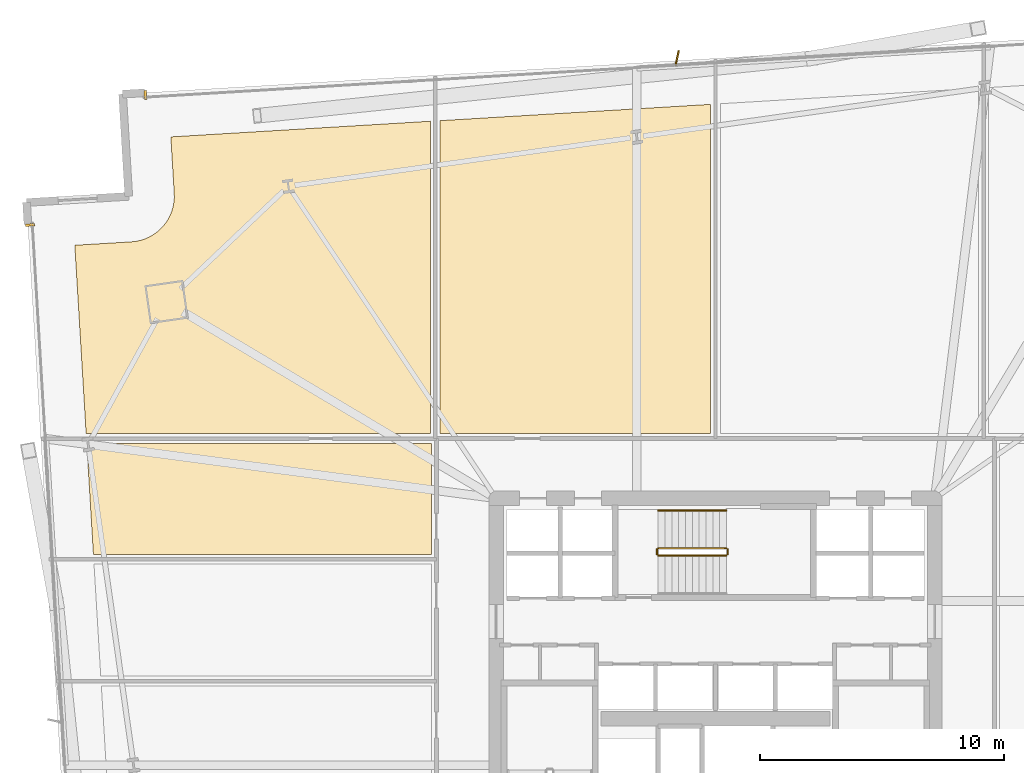
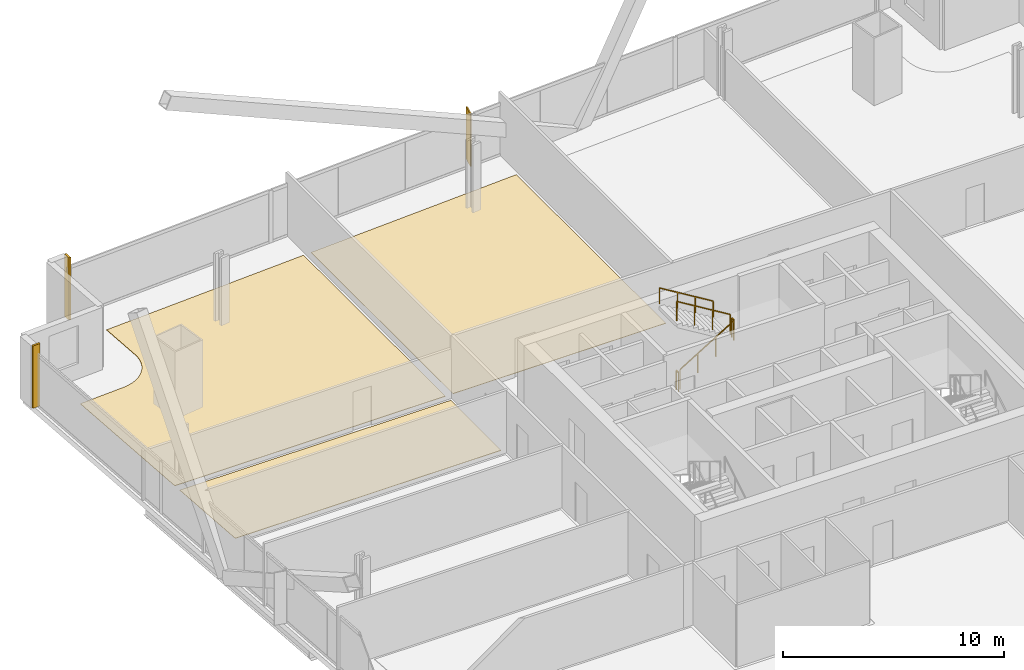
# One storey, part 33 of 34: 5 coverings, 5 railings, 1 shading device.
"""IFC4 building model written with IfcOpenShell, lengths in metres."""

from ifc_helpers import new_model, si_unit, direction, frame, origin, origin_2d, place, context, subcontext, project, spatial, polyline, rectangle, outline, extrude, source, transform, mapped, material, layer, layer_set, type_object, element, save


model = new_model("IFC4")

# Units and contexts
model_context = context("Model", 3, precision=1e-05, world=origin(), true_north=direction((0.0, 1.0)))
body_context = subcontext(model_context, "Body", "Model", "MODEL_VIEW")
ifc_project = project(units=[si_unit("LENGTHUNIT", "METRE"), si_unit("AREAUNIT", "SQUARE_METRE"), si_unit("VOLUMEUNIT", "CUBIC_METRE"), si_unit("PLANEANGLEUNIT", "RADIAN"), si_unit("MASSUNIT", "GRAM", prefix="KILO")], contexts=[model_context])

# Site, building, storey
site_placement = place(None, origin())
site = spatial("IfcSite", under=ifc_project, at=site_placement, CompositionType="ELEMENT")
building_placement = place(site_placement, origin())
building = spatial("IfcBuilding", under=site, at=building_placement, Name="Haldenkirk Collegiate Tower", CompositionType="ELEMENT")
storey_placement = place(building_placement, frame((0.0, 0.0, 40.199951171875)))
storey = spatial("IfcBuildingStorey", under=building, at=storey_placement, Name="L08", CompositionType="ELEMENT", Elevation=40.199951171875)

# Coverings
ifc_material_1 = material(Name="Polished collegiate terrazzo", Category="concrete")
ifc_layer_1 = layer(ifc_material_1, 0.02490234375)
ifc_layer_set_1 = layer_set([ifc_layer_1], Name="Polished collegiate terrazzo")
covering_type_1 = type_object("IfcCoveringType", Name="COV-FLOOR-TERRAZZO", PredefinedType="FLOORING", material=ifc_layer_set_1)
covering_1_placement = place(storey_placement, origin())
element("IfcCovering", 1, at=covering_1_placement, inside=storey, type_object=covering_type_1, Name="L08 academic room finish 04", PredefinedType="FLOORING", context=body_context, shape_type="SweptSolid", body=[
    extrude(outline(polyline([(12.0419921875, 44.521728515625), (12.0478515625, 44.522216796875), (12.218505859375, 44.541015625), (12.230224609375, 44.54296875), (12.398193359375, 44.578369140625), (12.40966796875, 44.581298828125), (12.573486328125, 44.633056640625), (12.58447265625, 44.636962890625), (12.742431640625, 44.704345703125), (12.753173828125, 44.709716796875), (12.903564453125, 44.792236328125), (12.91357421875, 44.798583984375), (13.055419921875, 44.8955078125), (13.064697265625, 44.902587890625), (13.1962890625, 45.012939453125), (13.204833984375, 45.02099609375), (13.324951171875, 45.143798828125), (13.332763671875, 45.152587890625), (13.440185546875, 45.28662109375), (13.447021484375, 45.296142578125), (13.541015625, 45.43994140625), (13.546875, 45.4501953125), (13.626220703125, 45.602294921875), (13.631103515625, 45.613037109375), (13.695068359375, 45.7724609375), (13.698974609375, 45.78369140625), (13.746826171875, 45.948486328125), (13.749755859375, 45.9599609375), (13.78125, 46.12890625), (13.78271484375, 46.140380859375), (13.797607421875, 46.3115234375), (13.798095703125, 46.3232421875), (13.79638671875, 46.4951171875), (13.796142578125, 46.5009765625), (13.656005859375, 48.82666015625), (24.300048828125, 49.468505859375), (24.300048828125, 36.64990234375), (10.182373046875, 36.64990234375), (9.71630859375, 44.381591796875), (12.0419921875, 44.521728515625)])), origin(), (0.0, 0.0, 1.0), 0.025146484375),
])
ifc_material_2 = material(Name="Engineered collegiate oak acoustic flooring", Category="wood")
ifc_layer_2 = layer(ifc_material_2, 0.02197265625)
ifc_layer_set_2 = layer_set([ifc_layer_2], Name="Engineered collegiate oak acoustic flooring")
covering_type_2 = type_object("IfcCoveringType", Name="COV-FLOOR-TIMBER", PredefinedType="FLOORING", material=ifc_layer_set_2)
covering_2_placement = place(storey_placement, origin())
element("IfcCovering", 2, at=covering_2_placement, inside=storey, type_object=covering_type_2, Name="L08 academic room finish 05", PredefinedType="FLOORING", context=body_context, shape_type="SweptSolid", body=[
    extrude(outline(polyline([(35.800048828125, 50.16162109375), (35.800048828125, 36.64990234375), (24.699951171875, 36.64990234375), (24.699951171875, 49.492431640625), (35.800048828125, 50.16162109375)])), origin(), (0.0, 0.0, 1.0), 0.02197265625),
])
covering_3_placement = place(storey_placement, origin())
element("IfcCovering", 3, at=covering_3_placement, inside=storey, type_object=covering_type_2, Name="L08 academic room finish 11", PredefinedType="FLOORING", context=body_context, shape_type="SweptSolid", body=[
    extrude(outline(polyline([(10.20654296875, 36.25), (24.35009765625, 36.25), (24.35009765625, 31.699951171875), (10.480712890625, 31.699951171875), (10.20654296875, 36.25)])), origin(), (0.0, 0.0, 1.0), 0.02197265625),
])

# Railings
ifc_material_3 = material(Name="Painted architectural tubular steel", Category="steel")
railing_type_1 = type_object("IfcRailingType", Name="RLG-STAIR-GUARD-1100", PredefinedType="BALUSTRADE", material=ifc_material_3)
railing_1_placement = place(storey_placement, frame((33.64990234375, 31.64990234375, 0.17041015625)))
element("IfcRailing", 4, at=railing_1_placement, inside=storey, type_object=railing_type_1, Name="L08 ST-3 stair guard 1", PredefinedType="BALUSTRADE", context=body_context, shape_type="SweptSolid", body=[
    extrude(rectangle(XDim=0.048095703125, YDim=0.048095703125, at=origin_2d()), frame((0.0, 0.0, 1.076171875), z_axis=(0.854169791009, 0.0, 0.51999420009), x_axis=(0.0, 1.0, 0.0)), (0.0, 0.0, 1.0), 3.278076171875),
    extrude(rectangle(XDim=0.0419921875, YDim=0.0419921875, at=origin_2d()), origin(), (0.0, 0.0, 1.0), 1.052001953125),
    extrude(rectangle(XDim=0.0419921875, YDim=0.0419921875, at=origin_2d()), frame((0.933349609375, 0.0, 0.568115234375)), (0.0, 0.0, 1.0), 1.052001953125),
    extrude(rectangle(XDim=0.0419921875, YDim=0.0419921875, at=origin_2d()), frame((1.86669921875, 0.0, 1.136474609375)), (0.0, 0.0, 1.0), 1.052001953125),
    extrude(rectangle(XDim=0.0419921875, YDim=0.0419921875, at=origin_2d()), frame((2.800048828125, 0.0, 1.70458984375)), (0.0, 0.0, 1.0), 1.052001953125),
])
railing_2_placement = place(storey_placement, frame((36.5, 31.699951171875, 1.875)))
element("IfcRailing", 5, at=railing_2_placement, inside=storey, type_object=railing_type_1, Name="L08 ST-3 stair guard 2", PredefinedType="BALUSTRADE", context=body_context, shape_type="SweptSolid", body=[
    extrude(rectangle(XDim=0.048095703125, YDim=0.048095703125, at=origin_2d()), frame((0.0, 0.0, 1.076171875), z_axis=(0.0, 1.0, 0.0), x_axis=(-1.0, 0.0, 0.0)), (0.0, 0.0, 1.0), 0.199951171875),
    extrude(rectangle(XDim=0.0419921875, YDim=0.0419921875, at=origin_2d()), origin(), (0.0, 0.0, 1.0), 1.052001953125),
    extrude(rectangle(XDim=0.0419921875, YDim=0.0419921875, at=origin_2d()), frame((0.0, 0.199951171875, 0.0)), (0.0, 0.0, 1.0), 1.052001953125),
])
railing_3_placement = place(storey_placement, frame((36.449951171875, 31.949951171875, 2.04541015625)))
element("IfcRailing", 6, at=railing_3_placement, inside=storey, type_object=railing_type_1, Name="L08 ST-3 stair guard 3", PredefinedType="BALUSTRADE", context=body_context, shape_type="SweptSolid", body=[
    extrude(rectangle(XDim=0.048095703125, YDim=0.048095703125, at=origin_2d()), frame((0.0, 0.0, 1.076171875), z_axis=(-0.854169791009, 0.0, 0.51999420009), x_axis=(0.0, -1.0, 0.0)), (0.0, 0.0, 1.0), 3.278076171875),
    extrude(rectangle(XDim=0.0419921875, YDim=0.0419921875, at=origin_2d()), origin(), (0.0, 0.0, 1.0), 1.052001953125),
    extrude(rectangle(XDim=0.0419921875, YDim=0.0419921875, at=origin_2d()), frame((-0.933349609375, 0.0, 0.568115234375)), (0.0, 0.0, 1.0), 1.052001953125),
    extrude(rectangle(XDim=0.0419921875, YDim=0.0419921875, at=origin_2d()), frame((-1.86669921875, 0.0, 1.136474609375)), (0.0, 0.0, 1.0), 1.052001953125),
    extrude(rectangle(XDim=0.0419921875, YDim=0.0419921875, at=origin_2d()), frame((-2.800048828125, 0.0, 1.70458984375)), (0.0, 0.0, 1.0), 1.052001953125),
])
railing_4_placement = place(storey_placement, frame((33.60009765625, 31.699951171875, 0.0)))
element("IfcRailing", 7, at=railing_4_placement, inside=storey, type_object=railing_type_1, Name="L08 ST-3 stair guard 4", PredefinedType="BALUSTRADE", context=body_context, shape_type="SweptSolid", body=[
    extrude(rectangle(XDim=0.048095703125, YDim=0.048095703125, at=origin_2d()), frame((0.0, 0.0, 1.076171875), z_axis=(0.0, 1.0, 0.0), x_axis=(-1.0, 0.0, 0.0)), (0.0, 0.0, 1.0), 0.199951171875),
    extrude(rectangle(XDim=0.0419921875, YDim=0.0419921875, at=origin_2d()), origin(), (0.0, 0.0, 1.0), 1.052001953125),
    extrude(rectangle(XDim=0.0419921875, YDim=0.0419921875, at=origin_2d()), frame((0.0, 0.199951171875, 0.0)), (0.0, 0.0, 1.0), 1.052001953125),
])
railing_type_2 = type_object("IfcRailingType", Name="RLG-STAIR-HANDRAIL-900", PredefinedType="HANDRAIL", material=ifc_material_3)
railing_5_placement = place(storey_placement, frame((36.449951171875, 33.5, 2.04541015625)))
element("IfcRailing", 8, at=railing_5_placement, inside=storey, type_object=railing_type_2, Name="L08 ST-3 stair handrail 2", PredefinedType="HANDRAIL", context=body_context, shape_type="SweptSolid", body=[
    extrude(rectangle(XDim=0.048095703125, YDim=0.048095703125, at=origin_2d()), frame((0.0, 0.0, 0.8759765625), z_axis=(-0.854169791009, 0.0, 0.51999420009), x_axis=(0.0, -1.0, 0.0)), (0.0, 0.0, 1.0), 3.278076171875),
    extrude(rectangle(XDim=0.0419921875, YDim=0.0419921875, at=origin_2d()), origin(), (0.0, 0.0, 1.0), 0.851806640625),
    extrude(rectangle(XDim=0.0419921875, YDim=0.0419921875, at=origin_2d()), frame((-0.933349609375, 0.0, 0.568115234375)), (0.0, 0.0, 1.0), 0.851806640625),
    extrude(rectangle(XDim=0.0419921875, YDim=0.0419921875, at=origin_2d()), frame((-1.86669921875, 0.0, 1.136474609375)), (0.0, 0.0, 1.0), 0.851806640625),
    extrude(rectangle(XDim=0.0419921875, YDim=0.0419921875, at=origin_2d()), frame((-2.800048828125, 0.0, 1.70458984375)), (0.0, 0.0, 1.0), 0.851806640625),
])

# Coverings
ifc_material_4 = material(Name="Anodised architectural bronze aluminium", Category="aluminium")
ifc_layer_3 = layer(ifc_material_4, 0.06005859375)
ifc_layer_set_3 = layer_set([ifc_layer_3], Name="Anodised architectural bronze aluminium")
covering_type_3 = type_object("IfcCoveringType", Name="COV-CLAD-BRONZE-60", PredefinedType="CLADDING", material=ifc_layer_set_3)
shared_shape_1 = source(origin(), body_context, "Body", "SweptSolid", [
    extrude(rectangle(XDim=0.10009765625, YDim=0.3798828125, at=origin_2d()), origin(), (0.0, 0.0, 1.0), 3.43994140625),
])
for number, where, z_axis, x_axis, name in (
    (9, (12.610595703125, 50.547119140625, 0.0), (0.0, 0.0, 1.0), (0.998187693254, 0.060177479469, 0.0), "L08 recessed curtain-wall bronze jamb closure NJL"),
    (10, (7.8828125, 45.212890625, 0.0), (0.0, 0.0, 1.0), (-0.060177479469, 0.998187693254, 0.0), "L08 recessed curtain-wall bronze jamb closure WJR"),
):
    element("IfcCovering", number, at=place(storey_placement, frame(where, z_axis=z_axis, x_axis=x_axis)), inside=storey, type_object=covering_type_3, Name=name, PredefinedType="CLADDING", context=body_context, shape_type="MappedRepresentation", body=[
        mapped(shared_shape_1, transform((0.0, 0.0, 0.0), x_axis=(1.0, 0.0, 0.0), y_axis=(0.0, 1.0, 0.0), z_axis=(0.0, 0.0, 1.0), scale=1.0)),
    ])

# Shading device
ifc_layer_4 = layer(ifc_material_4, 0.06494140625)
ifc_layer_set_4 = layer_set([ifc_layer_4], Name="Anodised architectural bronze aluminium")
shading_device_type = type_object("IfcShadingDeviceType", Name="SHD-FIN-BRONZE-620", PredefinedType="USERDEFINED", material=ifc_layer_set_4)
shared_shape_2 = source(origin(), body_context, "Body", "SweptSolid", [
    extrude(rectangle(XDim=0.6201171875, YDim=0.06494140625, at=origin_2d()), origin(), (0.0, 0.0, 1.0), 2.89111328125),
])
shading_device_placement = place(storey_placement, frame((34.428466796875, 52.067626953125, 0.0), z_axis=(0.0, 0.0, 1.0), x_axis=(0.217291510406, 0.976106756203, 0.0)))
element("IfcShadingDevice", 11, at=shading_device_placement, inside=storey, type_object=shading_device_type, Name="L08 folded bronze solar fin 1", ObjectType="FIN", PredefinedType="USERDEFINED", context=body_context, shape_type="MappedRepresentation", body=[
    mapped(shared_shape_2, transform((0.0, 0.0, 0.0), x_axis=(1.0, 0.0, 0.0), y_axis=(0.0, 1.0, 0.0), z_axis=(0.0, 0.0, 1.0), scale=1.0)),
])

save(model, "model.ifc")
